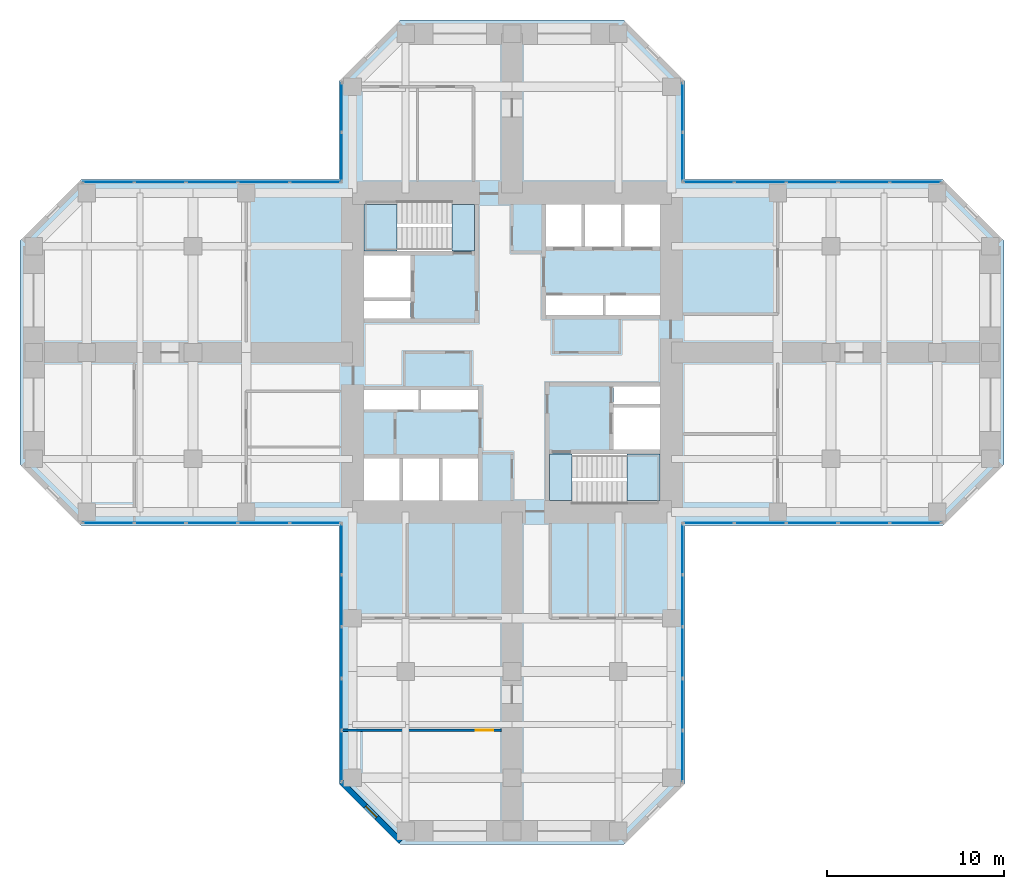
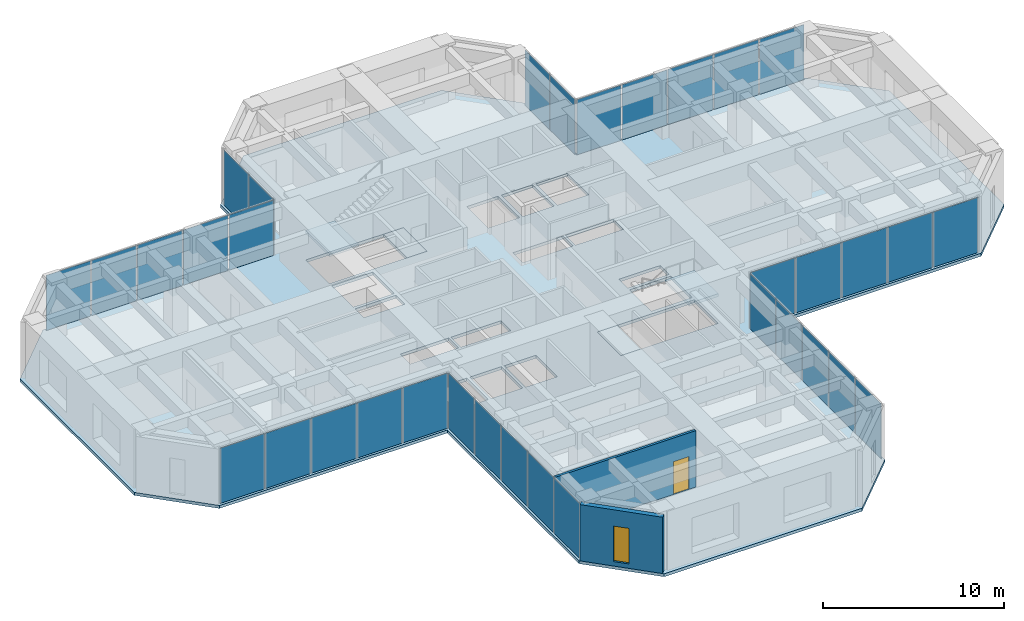
# One storey, part 7 of 12: 34 plates, 5 slabs, 2 walls, 1 door, 1 window, 2 openings, 10 elements without a shape of their own.
"""IFC4 building model written with IfcOpenShell, lengths in metres."""

from ifc_helpers import new_model, si_unit, direction, frame, frame_2d, origin, origin_2d, place, context, subcontext, project, spatial, polyline, rectangle, hollow_rectangle, outline, extrude, material, layer, layer_set, constituent, constituent_set, type_object, element, fill, aggregate, save


model = new_model("IFC4")

# Units and contexts
model_context = context("Model", 3, precision=1e-05, world=origin(), true_north=direction((0.0, 1.0)))
body_context = subcontext(model_context, "Body", "Model", "MODEL_VIEW")
ifc_project = project(units=[si_unit("LENGTHUNIT", "METRE"), si_unit("AREAUNIT", "SQUARE_METRE"), si_unit("VOLUMEUNIT", "CUBIC_METRE"), si_unit("PLANEANGLEUNIT", "RADIAN"), si_unit("MASSUNIT", "GRAM", prefix="KILO")], contexts=[model_context])

# Site, building, storey
site_placement = place(None, origin())
site = spatial("IfcSite", under=ifc_project, at=site_placement, CompositionType="ELEMENT")
building_placement = place(site_placement, origin())
building = spatial("IfcBuilding", under=site, at=building_placement, Name="Torre Cruceta", CompositionType="ELEMENT")
storey_placement = place(building_placement, frame((0.0, 0.0, 136.5)))
storey = spatial("IfcBuildingStorey", under=building, at=storey_placement, Name="L33", CompositionType="ELEMENT", Elevation=136.5)

# Curtain wall, plate
ifc_material_1 = material(Name="Aluminium unitised curtain wall", Category="aluminium")
curtain_wall_type = type_object("IfcCurtainWallType", Name="CURTAIN WALL CW-B OFFICE MID RISE", PredefinedType="USERDEFINED", material=ifc_material_1)
curtain_wall_1_placement = place(storey_placement, origin())
curtain_wall_1 = element("IfcCurtainWall", 1, at=curtain_wall_1_placement, inside=storey, type_object=curtain_wall_type, Name="CW-B L33 E side 00", ObjectType="UNITISED", PredefinedType="USERDEFINED")
ifc_material_2 = material(Name="Laminated insulating glass unit, diagonal frit 50 %", Category="glass")
ifc_material_3 = material(Name="Laminated insulating glass unit, diagonal frit 50 %", Category="glass")
ifc_layer_1 = layer(ifc_material_3, 0.031982421875)
ifc_layer_set_1 = layer_set([ifc_layer_1], Name="Laminated insulating glass unit, diagonal frit 50 %")
plate_type_1 = type_object("IfcPlateType", Name="CW-B OPERABLE VENT PANEL 32", PredefinedType="CURTAIN_PANEL", material=ifc_layer_set_1)
plate_1_placement = place(storey_placement, frame((16.9384765625, -9.6201171875, 0.010009765625), z_axis=(0.0, 0.0, 1.0), x_axis=(1.0, 0.0, 0.0)))
plate_1 = element("IfcPlate", 2, at=plate_1_placement, type_object=plate_type_1, material=ifc_material_2, Name="CW-B vent 3", PredefinedType="CURTAIN_PANEL", context=body_context, shape_type="SweptSolid", body=[
    extrude(rectangle(XDim=2.8623046875, YDim=0.031982421875, at=origin_2d()), origin(), (0.0, 0.0, 1.0), 3.72509765625),
])

curtain_wall_2_placement = place(storey_placement, origin())
curtain_wall_2 = element("IfcCurtainWall", 3, at=curtain_wall_2_placement, inside=storey, type_object=curtain_wall_type, Name="CW-B L33 E side 04", ObjectType="UNITISED", PredefinedType="USERDEFINED")
plate_2_placement = place(storey_placement, frame((16.9384765625, 9.6201171875, 0.010009765625), z_axis=(0.0, 0.0, 1.0), x_axis=(-1.0, 0.0, 0.0)))
plate_2 = element("IfcPlate", 4, at=plate_2_placement, type_object=plate_type_1, material=ifc_material_2, Name="CW-B vent 3", PredefinedType="CURTAIN_PANEL", context=body_context, shape_type="SweptSolid", body=[
    extrude(rectangle(XDim=2.8623046875, YDim=0.031982421875, at=origin_2d()), origin(), (0.0, 0.0, 1.0), 3.72509765625),
])

curtain_wall_3_placement = place(storey_placement, origin())
curtain_wall_3 = element("IfcCurtainWall", 5, at=curtain_wall_3_placement, inside=storey, type_object=curtain_wall_type, Name="CW-B L33 W side 10", ObjectType="UNITISED", PredefinedType="USERDEFINED")
plate_3_placement = place(storey_placement, frame((-16.9384765625, 9.6201171875, 0.010009765625), z_axis=(0.0, 0.0, 1.0), x_axis=(-1.0, 0.0, 0.0)))
plate_3 = element("IfcPlate", 6, at=plate_3_placement, type_object=plate_type_1, material=ifc_material_2, Name="CW-B vent 3", PredefinedType="CURTAIN_PANEL", context=body_context, shape_type="SweptSolid", body=[
    extrude(rectangle(XDim=2.8623046875, YDim=0.031982421875, at=origin_2d()), origin(), (0.0, 0.0, 1.0), 3.72509765625),
])

curtain_wall_4_placement = place(storey_placement, origin())
curtain_wall_4 = element("IfcCurtainWall", 7, at=curtain_wall_4_placement, inside=storey, type_object=curtain_wall_type, Name="CW-B L33 W side 14", ObjectType="UNITISED", PredefinedType="USERDEFINED")
plate_4_placement = place(storey_placement, frame((-16.9384765625, -9.6201171875, 0.010009765625), z_axis=(0.0, 0.0, 1.0), x_axis=(1.0, 0.0, 0.0)))
plate_4 = element("IfcPlate", 8, at=plate_4_placement, type_object=plate_type_1, material=ifc_material_2, Name="CW-B vent 3", PredefinedType="CURTAIN_PANEL", context=body_context, shape_type="SweptSolid", body=[
    extrude(rectangle(XDim=2.8623046875, YDim=0.031982421875, at=origin_2d()), origin(), (0.0, 0.0, 1.0), 3.72509765625),
])

curtain_wall_5_placement = place(storey_placement, origin())
curtain_wall_5 = element("IfcCurtainWall", 9, at=curtain_wall_5_placement, inside=storey, type_object=curtain_wall_type, Name="CW-B L33 S side 15", ObjectType="UNITISED", PredefinedType="USERDEFINED")
plate_5_placement = place(storey_placement, frame((-9.6201171875, -16.9384765625, 0.010009765625), z_axis=(0.0, 0.0, 1.0), x_axis=(0.0, -1.0, 0.0)))
plate_5 = element("IfcPlate", 10, at=plate_5_placement, type_object=plate_type_1, material=ifc_material_2, Name="CW-B vent 3", PredefinedType="CURTAIN_PANEL", context=body_context, shape_type="SweptSolid", body=[
    extrude(rectangle(XDim=2.8623046875, YDim=0.031982421875, at=origin_2d()), origin(), (0.0, 0.0, 1.0), 3.72509765625),
])

curtain_wall_6_placement = place(storey_placement, origin())
curtain_wall_6 = element("IfcCurtainWall", 11, at=curtain_wall_6_placement, inside=storey, type_object=curtain_wall_type, Name="CW-B L33 S side 19", ObjectType="UNITISED", PredefinedType="USERDEFINED")
plate_6_placement = place(storey_placement, frame((9.6201171875, -16.9384765625, 0.010009765625), z_axis=(0.0, 0.0, 1.0), x_axis=(0.0, 1.0, 0.0)))
plate_6 = element("IfcPlate", 12, at=plate_6_placement, type_object=plate_type_1, material=ifc_material_2, Name="CW-B vent 3", PredefinedType="CURTAIN_PANEL", context=body_context, shape_type="SweptSolid", body=[
    extrude(rectangle(XDim=2.8623046875, YDim=0.031982421875, at=origin_2d()), origin(), (0.0, 0.0, 1.0), 3.72509765625),
])

# Plate
ifc_material_4 = material(Name="Laminated insulating glass unit, diagonal frit 50 %", Category="glass")
ifc_layer_2 = layer(ifc_material_4, 0.031982421875)
ifc_layer_set_2 = layer_set([ifc_layer_2], Name="Laminated insulating glass unit, diagonal frit 50 %")
plate_type_2 = type_object("IfcPlateType", Name="CW-B PANEL 32", PredefinedType="CURTAIN_PANEL", material=ifc_layer_set_2)
plate_7_placement = place(storey_placement, frame((11.099853515625, -9.6201171875, 0.010009765625), z_axis=(0.0, 0.0, 1.0), x_axis=(1.0, 0.0, 0.0)))
plate_7 = element("IfcPlate", 13, at=plate_7_placement, type_object=plate_type_2, material=ifc_material_2, Name="CW-B panel 1", PredefinedType="CURTAIN_PANEL", context=body_context, shape_type="SweptSolid", body=[
    extrude(rectangle(XDim=2.829833984375, YDim=0.031982421875, at=origin_2d()), origin(), (0.0, 0.0, 1.0), 3.72509765625),
])

plate_8_placement = place(storey_placement, frame((14.010986328125, -9.6201171875, 0.010009765625), z_axis=(0.0, 0.0, 1.0), x_axis=(1.0, 0.0, 0.0)))
plate_8 = element("IfcPlate", 14, at=plate_8_placement, type_object=plate_type_2, material=ifc_material_2, Name="CW-B panel 2", PredefinedType="CURTAIN_PANEL", context=body_context, shape_type="SweptSolid", body=[
    extrude(rectangle(XDim=2.8623046875, YDim=0.031982421875, at=origin_2d()), origin(), (0.0, 0.0, 1.0), 3.72509765625),
])

ifc_material_5 = material(Name="Laminated insulating glass unit, low-iron clear", Category="glass")
plate_9_placement = place(storey_placement, frame((19.86572265625, -9.6201171875, 0.010009765625), z_axis=(0.0, 0.0, 1.0), x_axis=(1.0, 0.0, 0.0)))
plate_9 = element("IfcPlate", 15, at=plate_9_placement, type_object=plate_type_2, material=ifc_material_5, Name="CW-B panel 4", PredefinedType="CURTAIN_PANEL", context=body_context, shape_type="SweptSolid", body=[
    extrude(rectangle(XDim=2.8623046875, YDim=0.031982421875, at=origin_2d()), origin(), (0.0, 0.0, 1.0), 3.72509765625),
])

plate_10_placement = place(storey_placement, frame((22.77685546875, -9.6201171875, 0.010009765625), z_axis=(0.0, 0.0, 1.0), x_axis=(1.0, 0.0, 0.0)))
plate_10 = element("IfcPlate", 16, at=plate_10_placement, type_object=plate_type_2, material=ifc_material_5, Name="CW-B panel 5", PredefinedType="CURTAIN_PANEL", context=body_context, shape_type="SweptSolid", body=[
    extrude(rectangle(XDim=2.829833984375, YDim=0.031982421875, at=origin_2d()), origin(), (0.0, 0.0, 1.0), 3.72509765625),
])

aggregate(curtain_wall_1, [plate_7, plate_8, plate_1, plate_9, plate_10])

plate_11_placement = place(storey_placement, frame((22.77685546875, 9.6201171875, 0.010009765625), z_axis=(0.0, 0.0, 1.0), x_axis=(-1.0, 0.0, 0.0)))
plate_11 = element("IfcPlate", 17, at=plate_11_placement, type_object=plate_type_2, material=ifc_material_2, Name="CW-B panel 1", PredefinedType="CURTAIN_PANEL", context=body_context, shape_type="SweptSolid", body=[
    extrude(rectangle(XDim=2.829833984375, YDim=0.031982421875, at=origin_2d()), origin(), (0.0, 0.0, 1.0), 3.72509765625),
])

plate_12_placement = place(storey_placement, frame((19.86572265625, 9.6201171875, 0.010009765625), z_axis=(0.0, 0.0, 1.0), x_axis=(-1.0, 0.0, 0.0)))
plate_12 = element("IfcPlate", 18, at=plate_12_placement, type_object=plate_type_2, material=ifc_material_2, Name="CW-B panel 2", PredefinedType="CURTAIN_PANEL", context=body_context, shape_type="SweptSolid", body=[
    extrude(rectangle(XDim=2.8623046875, YDim=0.031982421875, at=origin_2d()), origin(), (0.0, 0.0, 1.0), 3.72509765625),
])

plate_13_placement = place(storey_placement, frame((14.010986328125, 9.6201171875, 0.010009765625), z_axis=(0.0, 0.0, 1.0), x_axis=(-1.0, 0.0, 0.0)))
plate_13 = element("IfcPlate", 19, at=plate_13_placement, type_object=plate_type_2, material=ifc_material_5, Name="CW-B panel 4", PredefinedType="CURTAIN_PANEL", context=body_context, shape_type="SweptSolid", body=[
    extrude(rectangle(XDim=2.8623046875, YDim=0.031982421875, at=origin_2d()), origin(), (0.0, 0.0, 1.0), 3.72509765625),
])

plate_14_placement = place(storey_placement, frame((11.099853515625, 9.6201171875, 0.010009765625), z_axis=(0.0, 0.0, 1.0), x_axis=(-1.0, 0.0, 0.0)))
plate_14 = element("IfcPlate", 20, at=plate_14_placement, type_object=plate_type_2, material=ifc_material_5, Name="CW-B panel 5", PredefinedType="CURTAIN_PANEL", context=body_context, shape_type="SweptSolid", body=[
    extrude(rectangle(XDim=2.829833984375, YDim=0.031982421875, at=origin_2d()), origin(), (0.0, 0.0, 1.0), 3.72509765625),
])

aggregate(curtain_wall_2, [plate_11, plate_12, plate_2, plate_13, plate_14])

# Curtain wall, plates
curtain_wall_7_placement = place(storey_placement, origin())
curtain_wall_7 = element("IfcCurtainWall", 21, at=curtain_wall_7_placement, inside=storey, type_object=curtain_wall_type, Name="CW-B L33 N side 05", ObjectType="UNITISED", PredefinedType="USERDEFINED")
plate_15_placement = place(storey_placement, frame((9.6201171875, 11.04541015625, 0.010009765625), z_axis=(0.0, 0.0, 1.0), x_axis=(0.0, 1.0, 0.0)))
plate_15 = element("IfcPlate", 22, at=plate_15_placement, type_object=plate_type_2, material=ifc_material_2, Name="CW-B panel 1", PredefinedType="CURTAIN_PANEL", context=body_context, shape_type="SweptSolid", body=[
    extrude(rectangle(XDim=2.720947265625, YDim=0.031982421875, at=origin_2d()), origin(), (0.0, 0.0, 1.0), 3.72509765625),
])
plate_16_placement = place(storey_placement, frame((9.6201171875, 13.831298828125, 0.010009765625), z_axis=(0.0, 0.0, 1.0), x_axis=(0.0, 1.0, 0.0)))
plate_16 = element("IfcPlate", 23, at=plate_16_placement, type_object=plate_type_2, material=ifc_material_2, Name="CW-B panel 2", PredefinedType="CURTAIN_PANEL", context=body_context, shape_type="SweptSolid", body=[
    extrude(rectangle(XDim=2.720947265625, YDim=0.031982421875, at=origin_2d()), origin(), (0.0, 0.0, 1.0), 3.72509765625),
])
aggregate(curtain_wall_7, [plate_15, plate_16])

curtain_wall_8_placement = place(storey_placement, origin())
curtain_wall_8 = element("IfcCurtainWall", 24, at=curtain_wall_8_placement, inside=storey, type_object=curtain_wall_type, Name="CW-B L33 N side 09", ObjectType="UNITISED", PredefinedType="USERDEFINED")
plate_17_placement = place(storey_placement, frame((-9.6201171875, 13.831298828125, 0.010009765625), z_axis=(0.0, 0.0, 1.0), x_axis=(0.0, -1.0, 0.0)))
plate_17 = element("IfcPlate", 25, at=plate_17_placement, type_object=plate_type_2, material=ifc_material_2, Name="CW-B panel 1", PredefinedType="CURTAIN_PANEL", context=body_context, shape_type="SweptSolid", body=[
    extrude(rectangle(XDim=2.720947265625, YDim=0.031982421875, at=origin_2d()), origin(), (0.0, 0.0, 1.0), 3.72509765625),
])
plate_18_placement = place(storey_placement, frame((-9.6201171875, 11.04541015625, 0.010009765625), z_axis=(0.0, 0.0, 1.0), x_axis=(0.0, -1.0, 0.0)))
plate_18 = element("IfcPlate", 26, at=plate_18_placement, type_object=plate_type_2, material=ifc_material_2, Name="CW-B panel 2", PredefinedType="CURTAIN_PANEL", context=body_context, shape_type="SweptSolid", body=[
    extrude(rectangle(XDim=2.720947265625, YDim=0.031982421875, at=origin_2d()), origin(), (0.0, 0.0, 1.0), 3.72509765625),
])
aggregate(curtain_wall_8, [plate_17, plate_18])

# Plate
plate_19_placement = place(storey_placement, frame((-11.099853515625, 9.6201171875, 0.010009765625), z_axis=(0.0, 0.0, 1.0), x_axis=(-1.0, 0.0, 0.0)))
plate_19 = element("IfcPlate", 27, at=plate_19_placement, type_object=plate_type_2, material=ifc_material_2, Name="CW-B panel 1", PredefinedType="CURTAIN_PANEL", context=body_context, shape_type="SweptSolid", body=[
    extrude(rectangle(XDim=2.829833984375, YDim=0.031982421875, at=origin_2d()), origin(), (0.0, 0.0, 1.0), 3.72509765625),
])

plate_20_placement = place(storey_placement, frame((-14.010986328125, 9.6201171875, 0.010009765625), z_axis=(0.0, 0.0, 1.0), x_axis=(-1.0, 0.0, 0.0)))
plate_20 = element("IfcPlate", 28, at=plate_20_placement, type_object=plate_type_2, material=ifc_material_2, Name="CW-B panel 2", PredefinedType="CURTAIN_PANEL", context=body_context, shape_type="SweptSolid", body=[
    extrude(rectangle(XDim=2.8623046875, YDim=0.031982421875, at=origin_2d()), origin(), (0.0, 0.0, 1.0), 3.72509765625),
])

plate_21_placement = place(storey_placement, frame((-19.86572265625, 9.6201171875, 0.010009765625), z_axis=(0.0, 0.0, 1.0), x_axis=(-1.0, 0.0, 0.0)))
plate_21 = element("IfcPlate", 29, at=plate_21_placement, type_object=plate_type_2, material=ifc_material_5, Name="CW-B panel 4", PredefinedType="CURTAIN_PANEL", context=body_context, shape_type="SweptSolid", body=[
    extrude(rectangle(XDim=2.8623046875, YDim=0.031982421875, at=origin_2d()), origin(), (0.0, 0.0, 1.0), 3.72509765625),
])

plate_22_placement = place(storey_placement, frame((-22.77685546875, 9.6201171875, 0.010009765625), z_axis=(0.0, 0.0, 1.0), x_axis=(-1.0, 0.0, 0.0)))
plate_22 = element("IfcPlate", 30, at=plate_22_placement, type_object=plate_type_2, material=ifc_material_5, Name="CW-B panel 5", PredefinedType="CURTAIN_PANEL", context=body_context, shape_type="SweptSolid", body=[
    extrude(rectangle(XDim=2.829833984375, YDim=0.031982421875, at=origin_2d()), origin(), (0.0, 0.0, 1.0), 3.72509765625),
])

aggregate(curtain_wall_3, [plate_19, plate_20, plate_3, plate_21, plate_22])

plate_23_placement = place(storey_placement, frame((-22.77685546875, -9.6201171875, 0.010009765625), z_axis=(0.0, 0.0, 1.0), x_axis=(1.0, 0.0, 0.0)))
plate_23 = element("IfcPlate", 31, at=plate_23_placement, type_object=plate_type_2, material=ifc_material_2, Name="CW-B panel 1", PredefinedType="CURTAIN_PANEL", context=body_context, shape_type="SweptSolid", body=[
    extrude(rectangle(XDim=2.829833984375, YDim=0.031982421875, at=origin_2d()), origin(), (0.0, 0.0, 1.0), 3.72509765625),
])

plate_24_placement = place(storey_placement, frame((-19.86572265625, -9.6201171875, 0.010009765625), z_axis=(0.0, 0.0, 1.0), x_axis=(1.0, 0.0, 0.0)))
plate_24 = element("IfcPlate", 32, at=plate_24_placement, type_object=plate_type_2, material=ifc_material_2, Name="CW-B panel 2", PredefinedType="CURTAIN_PANEL", context=body_context, shape_type="SweptSolid", body=[
    extrude(rectangle(XDim=2.8623046875, YDim=0.031982421875, at=origin_2d()), origin(), (0.0, 0.0, 1.0), 3.72509765625),
])

plate_25_placement = place(storey_placement, frame((-14.010986328125, -9.6201171875, 0.010009765625), z_axis=(0.0, 0.0, 1.0), x_axis=(1.0, 0.0, 0.0)))
plate_25 = element("IfcPlate", 33, at=plate_25_placement, type_object=plate_type_2, material=ifc_material_5, Name="CW-B panel 4", PredefinedType="CURTAIN_PANEL", context=body_context, shape_type="SweptSolid", body=[
    extrude(rectangle(XDim=2.8623046875, YDim=0.031982421875, at=origin_2d()), origin(), (0.0, 0.0, 1.0), 3.72509765625),
])

plate_26_placement = place(storey_placement, frame((-11.099853515625, -9.6201171875, 0.010009765625), z_axis=(0.0, 0.0, 1.0), x_axis=(1.0, 0.0, 0.0)))
plate_26 = element("IfcPlate", 34, at=plate_26_placement, type_object=plate_type_2, material=ifc_material_5, Name="CW-B panel 5", PredefinedType="CURTAIN_PANEL", context=body_context, shape_type="SweptSolid", body=[
    extrude(rectangle(XDim=2.829833984375, YDim=0.031982421875, at=origin_2d()), origin(), (0.0, 0.0, 1.0), 3.72509765625),
])

aggregate(curtain_wall_4, [plate_23, plate_24, plate_4, plate_25, plate_26])

plate_27_placement = place(storey_placement, frame((-9.6201171875, -11.099853515625, 0.010009765625), z_axis=(0.0, 0.0, 1.0), x_axis=(0.0, -1.0, 0.0)))
plate_27 = element("IfcPlate", 35, at=plate_27_placement, type_object=plate_type_2, material=ifc_material_2, Name="CW-B panel 1", PredefinedType="CURTAIN_PANEL", context=body_context, shape_type="SweptSolid", body=[
    extrude(rectangle(XDim=2.829833984375, YDim=0.031982421875, at=origin_2d()), origin(), (0.0, 0.0, 1.0), 3.72509765625),
])

plate_28_placement = place(storey_placement, frame((-9.6201171875, -14.010986328125, 0.010009765625), z_axis=(0.0, 0.0, 1.0), x_axis=(0.0, -1.0, 0.0)))
plate_28 = element("IfcPlate", 36, at=plate_28_placement, type_object=plate_type_2, material=ifc_material_2, Name="CW-B panel 2", PredefinedType="CURTAIN_PANEL", context=body_context, shape_type="SweptSolid", body=[
    extrude(rectangle(XDim=2.8623046875, YDim=0.031982421875, at=origin_2d()), origin(), (0.0, 0.0, 1.0), 3.72509765625),
])

plate_29_placement = place(storey_placement, frame((-9.6201171875, -19.86572265625, 0.010009765625), z_axis=(0.0, 0.0, 1.0), x_axis=(0.0, -1.0, 0.0)))
plate_29 = element("IfcPlate", 37, at=plate_29_placement, type_object=plate_type_2, material=ifc_material_5, Name="CW-B panel 4", PredefinedType="CURTAIN_PANEL", context=body_context, shape_type="SweptSolid", body=[
    extrude(rectangle(XDim=2.8623046875, YDim=0.031982421875, at=origin_2d()), origin(), (0.0, 0.0, 1.0), 3.72509765625),
])

plate_30_placement = place(storey_placement, frame((-9.6201171875, -22.77685546875, 0.010009765625), z_axis=(0.0, 0.0, 1.0), x_axis=(0.0, -1.0, 0.0)))
plate_30 = element("IfcPlate", 38, at=plate_30_placement, type_object=plate_type_2, material=ifc_material_5, Name="CW-B panel 5", PredefinedType="CURTAIN_PANEL", context=body_context, shape_type="SweptSolid", body=[
    extrude(rectangle(XDim=2.829833984375, YDim=0.031982421875, at=origin_2d()), origin(), (0.0, 0.0, 1.0), 3.72509765625),
])

aggregate(curtain_wall_5, [plate_27, plate_28, plate_5, plate_29, plate_30])

plate_31_placement = place(storey_placement, frame((9.6201171875, -22.77685546875, 0.010009765625), z_axis=(0.0, 0.0, 1.0), x_axis=(0.0, 1.0, 0.0)))
plate_31 = element("IfcPlate", 39, at=plate_31_placement, type_object=plate_type_2, material=ifc_material_2, Name="CW-B panel 1", PredefinedType="CURTAIN_PANEL", context=body_context, shape_type="SweptSolid", body=[
    extrude(rectangle(XDim=2.829833984375, YDim=0.031982421875, at=origin_2d()), origin(), (0.0, 0.0, 1.0), 3.72509765625),
])

plate_32_placement = place(storey_placement, frame((9.6201171875, -19.86572265625, 0.010009765625), z_axis=(0.0, 0.0, 1.0), x_axis=(0.0, 1.0, 0.0)))
plate_32 = element("IfcPlate", 40, at=plate_32_placement, type_object=plate_type_2, material=ifc_material_2, Name="CW-B panel 2", PredefinedType="CURTAIN_PANEL", context=body_context, shape_type="SweptSolid", body=[
    extrude(rectangle(XDim=2.8623046875, YDim=0.031982421875, at=origin_2d()), origin(), (0.0, 0.0, 1.0), 3.72509765625),
])

plate_33_placement = place(storey_placement, frame((9.6201171875, -14.010986328125, 0.010009765625), z_axis=(0.0, 0.0, 1.0), x_axis=(0.0, 1.0, 0.0)))
plate_33 = element("IfcPlate", 41, at=plate_33_placement, type_object=plate_type_2, material=ifc_material_5, Name="CW-B panel 4", PredefinedType="CURTAIN_PANEL", context=body_context, shape_type="SweptSolid", body=[
    extrude(rectangle(XDim=2.8623046875, YDim=0.031982421875, at=origin_2d()), origin(), (0.0, 0.0, 1.0), 3.72509765625),
])

plate_34_placement = place(storey_placement, frame((9.6201171875, -11.099853515625, 0.010009765625), z_axis=(0.0, 0.0, 1.0), x_axis=(0.0, 1.0, 0.0)))
plate_34 = element("IfcPlate", 42, at=plate_34_placement, type_object=plate_type_2, material=ifc_material_5, Name="CW-B panel 5", PredefinedType="CURTAIN_PANEL", context=body_context, shape_type="SweptSolid", body=[
    extrude(rectangle(XDim=2.829833984375, YDim=0.031982421875, at=origin_2d()), origin(), (0.0, 0.0, 1.0), 3.72509765625),
])

aggregate(curtain_wall_6, [plate_31, plate_32, plate_6, plate_33, plate_34])

# Slab
ifc_material_6 = material(Name="Concrete G35 (fck 35 MPa)", Category="concrete")
ifc_layer_3 = layer(ifc_material_6, 0.199951171875)
ifc_layer_set_3 = layer_set([ifc_layer_3], Name="Concrete G35 (fck 35 MPa)")
slab_type_1 = type_object("IfcSlabType", Name="FLOOR SLAB 200", PredefinedType="FLOOR", material=ifc_layer_set_3)
slab_1_placement = place(storey_placement, frame((0.0, 0.0, -0.199951171875)))
element("IfcSlab", 43, at=slab_1_placement, inside=storey, type_object=slab_type_1, Name="Floor Slab L33", PredefinedType="FLOOR", context=body_context, shape_type="SweptSolid", body=[
    extrude(outline(polyline([(9.77001953125, -9.77001953125), (9.77001953125, -24.31884765625), (6.31884765625, -27.77001953125), (-6.31884765625, -27.77001953125), (-9.77001953125, -24.31884765625), (-9.77001953125, -9.77001953125), (-24.31884765625, -9.77001953125), (-27.77001953125, -6.31884765625), (-27.77001953125, 6.31884765625), (-24.31884765625, 9.77001953125), (-9.77001953125, 9.77001953125), (-9.77001953125, 15.31884765625), (-6.31884765625, 18.77001953125), (6.31884765625, 18.77001953125), (9.77001953125, 15.31884765625), (9.77001953125, 9.77001953125), (24.31884765625, 9.77001953125), (27.77001953125, 6.31884765625), (27.77001953125, -6.31884765625), (24.31884765625, -9.77001953125), (9.77001953125, -9.77001953125)]), holes=[polyline([(1.925048828125, 5.97509765625), (3.933349609375, 5.97509765625), (3.933349609375, 8.35009765625), (1.925048828125, 8.35009765625), (1.925048828125, 5.97509765625)]), polyline([(4.13330078125, 5.97509765625), (6.1416015625, 5.97509765625), (6.1416015625, 8.35009765625), (4.13330078125, 8.35009765625), (4.13330078125, 5.97509765625)]), polyline([(6.341552734375, 5.97509765625), (8.35009765625, 5.97509765625), (8.35009765625, 8.35009765625), (6.341552734375, 8.35009765625), (6.341552734375, 5.97509765625)]), polyline([(1.925048828125, 2.125), (5.125, 2.125), (5.125, 3.22509765625), (1.925048828125, 3.22509765625), (1.925048828125, 2.125)]), polyline([(5.27490234375, 2.125), (8.35009765625, 2.125), (8.35009765625, 3.22509765625), (5.27490234375, 3.22509765625), (5.27490234375, 2.125)]), polyline([(-8.35009765625, 3.10009765625), (-5.72509765625, 3.10009765625), (-5.72509765625, 5.47509765625), (-8.35009765625, 5.47509765625), (-8.35009765625, 3.10009765625)]), polyline([(-8.35009765625, 1.925048828125), (-5.72509765625, 1.925048828125), (-5.72509765625, 2.89990234375), (-8.35009765625, 2.89990234375), (-8.35009765625, 1.925048828125)]), polyline([(-3.933349609375, -8.35009765625), (-1.925048828125, -8.35009765625), (-1.925048828125, -5.97509765625), (-3.933349609375, -5.97509765625), (-3.933349609375, -8.35009765625)]), polyline([(-6.1416015625, -8.35009765625), (-4.13330078125, -8.35009765625), (-4.13330078125, -5.97509765625), (-6.1416015625, -5.97509765625), (-6.1416015625, -8.35009765625)]), polyline([(-8.35009765625, -8.35009765625), (-6.341552734375, -8.35009765625), (-6.341552734375, -5.97509765625), (-8.35009765625, -5.97509765625), (-8.35009765625, -8.35009765625)]), polyline([(-5.125, -3.22509765625), (-1.925048828125, -3.22509765625), (-1.925048828125, -2.125), (-5.125, -2.125), (-5.125, -3.22509765625)]), polyline([(-8.35009765625, -3.22509765625), (-5.27490234375, -3.22509765625), (-5.27490234375, -2.125), (-8.35009765625, -2.125), (-8.35009765625, -3.22509765625)]), polyline([(5.72509765625, -5.47509765625), (8.35009765625, -5.47509765625), (8.35009765625, -3.10009765625), (5.72509765625, -3.10009765625), (5.72509765625, -5.47509765625)]), polyline([(5.72509765625, -2.89990234375), (8.35009765625, -2.89990234375), (8.35009765625, -1.925048828125), (5.72509765625, -1.925048828125), (5.72509765625, -2.89990234375)]), polyline([(-8.35009765625, 5.72509765625), (-8.35009765625, 8.35009765625), (-3.39990234375, 8.35009765625), (-2.125, 8.35009765625), (-2.125, 5.72509765625), (-3.39990234375, 5.72509765625), (-8.35009765625, 5.72509765625)]), polyline([(2.125, -5.72509765625), (3.39990234375, -5.72509765625), (8.35009765625, -5.72509765625), (8.35009765625, -8.35009765625), (3.39990234375, -8.35009765625), (2.125, -8.35009765625), (2.125, -5.72509765625)])]), origin(), (0.0, 0.0, 1.0), 0.199951171875),
])

# Stair, slab
ifc_material_7 = material(Name="Concrete G30 (fck 30 MPa)", Category="concrete")
stair_type = type_object("IfcStairType", Name="STAIR HALF-TURN 1300", PredefinedType="HALF_TURN_STAIR", material=ifc_material_7)
stair_1_placement = place(storey_placement, origin())
stair_1 = element("IfcStair", 44, at=stair_1_placement, inside=storey, type_object=stair_type, Name="Stair ST1 L33", PredefinedType="HALF_TURN_STAIR")
ifc_material_8 = material(Name="Concrete G30 (fck 30 MPa)", Category="concrete")
ifc_layer_4 = layer(ifc_material_8, 0.199951171875)
ifc_layer_set_4 = layer_set([ifc_layer_4], Name="Concrete G30 (fck 30 MPa)")
slab_type_2 = type_object("IfcSlabType", Name="STAIR LANDING 200", PredefinedType="LANDING", material=ifc_layer_set_4)
slab_2_placement = place(storey_placement, frame((0.0, 0.0, 1.800048828125)))
slab_2 = element("IfcSlab", 45, at=slab_2_placement, type_object=slab_type_2, Name="ST1 landing 1", PredefinedType="LANDING", context=body_context, shape_type="SweptSolid", body=[
    extrude(outline(polyline([(-8.35009765625, 5.72509765625), (-6.47998046875, 5.72509765625), (-6.47998046875, 8.35009765625), (-8.35009765625, 8.35009765625), (-8.35009765625, 5.72509765625)])), origin(), (0.0, 0.0, 1.0), 0.199951171875),
])
aggregate(stair_1, [slab_2])

stair_2_placement = place(storey_placement, origin())
stair_2 = element("IfcStair", 46, at=stair_2_placement, inside=storey, type_object=stair_type, Name="Stair ST2 L33", PredefinedType="HALF_TURN_STAIR")
slab_3_placement = place(storey_placement, frame((0.0, 0.0, 1.800048828125)))
slab_3 = element("IfcSlab", 47, at=slab_3_placement, type_object=slab_type_2, Name="ST2 landing 1", PredefinedType="LANDING", context=body_context, shape_type="SweptSolid", body=[
    extrude(outline(polyline([(6.47998046875, -8.35009765625), (8.35009765625, -8.35009765625), (8.35009765625, -5.72509765625), (6.47998046875, -5.72509765625), (6.47998046875, -8.35009765625)])), origin(), (0.0, 0.0, 1.0), 0.199951171875),
])
aggregate(stair_2, [slab_3])

# Slabs
slab_4_placement = place(storey_placement, frame((0.0, 0.0, -0.199951171875)))
element("IfcSlab", 48, at=slab_4_placement, inside=storey, type_object=slab_type_2, Name="Stair ST1 floor landing L33", PredefinedType="LANDING", context=body_context, shape_type="SweptSolid", body=[
    extrude(outline(polyline([(-2.125, 8.35009765625), (-2.125, 5.72509765625), (-3.39990234375, 5.72509765625), (-3.39990234375, 8.35009765625), (-2.125, 8.35009765625)])), origin(), (0.0, 0.0, 1.0), 0.199951171875),
])
slab_5_placement = place(storey_placement, frame((0.0, 0.0, -0.199951171875)))
element("IfcSlab", 49, at=slab_5_placement, inside=storey, type_object=slab_type_2, Name="Stair ST2 floor landing L33", PredefinedType="LANDING", context=body_context, shape_type="SweptSolid", body=[
    extrude(outline(polyline([(2.125, -8.35009765625), (2.125, -5.72509765625), (3.39990234375, -5.72509765625), (3.39990234375, -8.35009765625), (2.125, -8.35009765625)])), origin(), (0.0, 0.0, 1.0), 0.199951171875),
])

# Wall, opening, window
ifc_material_9 = material(Name="Concrete G30 (fck 30 MPa)", Category="concrete")
ifc_layer_5 = layer(ifc_material_9, 0.300048828125)
ifc_layer_set_5 = layer_set([ifc_layer_5], Name="Concrete G30 (fck 30 MPa)")
wall_type_1 = type_object("IfcWallType", Name="EXPOSED CONCRETE FACADE WALL 300", PredefinedType="SOLIDWALL", material=ifc_layer_set_5)
wall_1_placement = place(storey_placement, frame((-9.6201171875, -24.2568359375, 0.0), z_axis=(0.0, 0.0, 1.0), x_axis=(0.707106781187, -0.707106781187, 0.0)))
wall_1 = element("IfcWall", 50, at=wall_1_placement, inside=storey, type_object=wall_type_1, Name="EW1 facade wall L33 S chamfer 16", PredefinedType="SOLIDWALL", context=body_context, shape_type="SweptSolid", body=[
    extrude(rectangle(XDim=4.72802734375, YDim=0.300048828125, at=frame_2d((2.364013671875, 0.0))), origin(), (0.0, 0.0, 1.0), 3.800048828125),
])
opening_1_placement = place(wall_1_placement, frame((1.9140625, 0.0, 0.300048828125)))
opening_1 = element("IfcOpeningElement", 51, at=opening_1_placement, cuts=wall_1, Name="Opening WN5", PredefinedType="OPENING", context=body_context, shape_type="SweptSolid", body=[
    extrude(rectangle(XDim=0.89990234375, YDim=2.39990234375, at=frame_2d((0.449951171875, 1.199951171875))), frame((0.0, 0.159912109375, 0.0), z_axis=(0.0, -1.0, 0.0), x_axis=(1.0, 0.0, 0.0)), (0.0, 0.0, 1.0), 0.320068359375),
])
ifc_material_10 = material(Name="Aluminium window frame", Category="aluminium")
ifc_constituent_1 = constituent(ifc_material_10, Name="Frame")
ifc_material_11 = material(Name="Laminated insulating glass unit, low-iron clear", Category="glass")
ifc_constituent_2 = constituent(ifc_material_11, Name="Glazing")
ifc_constituent_set_1 = constituent_set(constituents=[ifc_constituent_1, ifc_constituent_2], Name="Aluminium window")
window_type = type_object("IfcWindowType", Name="CHAMFER SLOT WINDOW 900X2400", PartitioningType="SINGLE_PANEL", PredefinedType="WINDOW", material=ifc_constituent_set_1)
window_placement = place(opening_1_placement, origin())
window = element("IfcWindow", 52, at=window_placement, inside=storey, type_object=window_type, Name="WN5 L33 S 1", OverallHeight=2.39990234375, OverallWidth=0.89990234375, PartitioningType="SINGLE_PANEL", PredefinedType="WINDOW", context=body_context, shape_type="SweptSolid", body=[
    extrude(hollow_rectangle(XDim=0.89990234375, YDim=2.39990234375, WallThickness=0.06005859375, at=frame_2d((0.449951171875, 1.199951171875))), frame((0.0, 0.030029296875, 0.0), z_axis=(0.0, -1.0, 0.0), x_axis=(1.0, 0.0, 0.0)), (0.0, 0.0, 1.0), 0.06005859375),
    extrude(rectangle(XDim=0.77880859375, YDim=2.27880859375, at=frame_2d((0.449951171875, 1.199951171875))), frame((0.0, 0.030029296875, 0.0), z_axis=(0.0, -1.0, 0.0), x_axis=(1.0, 0.0, 0.0)), (0.0, 0.0, 1.0), 0.06005859375),
])
fill(opening_1, window)

# Wall, opening, door
ifc_material_12 = material(Name="Plasterboard on steel studs", Category="steel")
ifc_layer_6 = layer(ifc_material_12, 0.14990234375)
ifc_layer_set_6 = layer_set([ifc_layer_6], Name="Plasterboard on steel studs")
wall_type_2 = type_object("IfcWallType", Name="PARTITION 150", PredefinedType="PARTITIONING", material=ifc_layer_set_6)
wall_2_placement = place(storey_placement, frame((-9.580078125, -21.320068359375, 0.0), z_axis=(0.0, 0.0, 1.0), x_axis=(1.0, 0.0, 0.0)))
wall_2 = element("IfcWall", 53, at=wall_2_placement, inside=storey, type_object=wall_type_2, Name="PT1 L33-S-TWR", PredefinedType="PARTITIONING", context=body_context, shape_type="SweptSolid", body=[
    extrude(rectangle(XDim=8.97998046875, YDim=0.14990234375, at=frame_2d((4.489990234375, 0.0))), origin(), (0.0, 0.0, 1.0), 3.800048828125),
])
opening_2_placement = place(wall_2_placement, frame((7.530029296875, 0.0, 0.0)))
opening_2 = element("IfcOpeningElement", 54, at=opening_2_placement, cuts=wall_2, Name="Opening D14", PredefinedType="OPENING", context=body_context, shape_type="SweptSolid", body=[
    extrude(rectangle(XDim=1.0, YDim=2.199951171875, at=frame_2d((0.5, 1.10009765625))), frame((0.0, 0.0849609375, 0.0), z_axis=(0.0, -1.0, 0.0), x_axis=(1.0, 0.0, 0.0)), (0.0, 0.0, 1.0), 0.169921875),
])
ifc_material_13 = material(Name="Steel DX51D", Category="steel")
ifc_constituent_3 = constituent(ifc_material_13, Name="Leaf and frame")
ifc_material_14 = material(Name="Polyester powder coating", Category="paint")
ifc_constituent_4 = constituent(ifc_material_14, Name="Finish")
ifc_material_15 = material(Name="Fire-resisting glass", Category="glass")
ifc_constituent_5 = constituent(ifc_material_15, Name="Vision panel")
ifc_constituent_set_2 = constituent_set(constituents=[ifc_constituent_3, ifc_constituent_4, ifc_constituent_5], Name="Steel fire door with vision panel")
door_type = type_object("IfcDoorType", Name="FIRE DOOR VISION PANEL 1000X2200", OperationType="SINGLE_SWING_RIGHT", PredefinedType="DOOR", material=ifc_constituent_set_2)
door_placement = place(opening_2_placement, frame((1.0, 0.0, 0.0), z_axis=(0.0, 0.0, 1.0), x_axis=(-1.0, 0.0, 0.0)))
door = element("IfcDoor", 55, at=door_placement, inside=storey, type_object=door_type, Name="D14 L33-S-TWR-D1", OperationType="SINGLE_SWING_LEFT", OverallHeight=2.199951171875, OverallWidth=1.0, PredefinedType="DOOR", context=body_context, shape_type="SweptSolid", body=[
    extrude(rectangle(XDim=1.0, YDim=2.199951171875, at=frame_2d((0.5, 1.10009765625))), frame((0.0, 0.025146484375, 0.0), z_axis=(0.0, -1.0, 0.0), x_axis=(1.0, 0.0, 0.0)), (0.0, 0.0, 1.0), 0.050048828125),
])
fill(opening_2, door)

save(model, "model.ifc")
